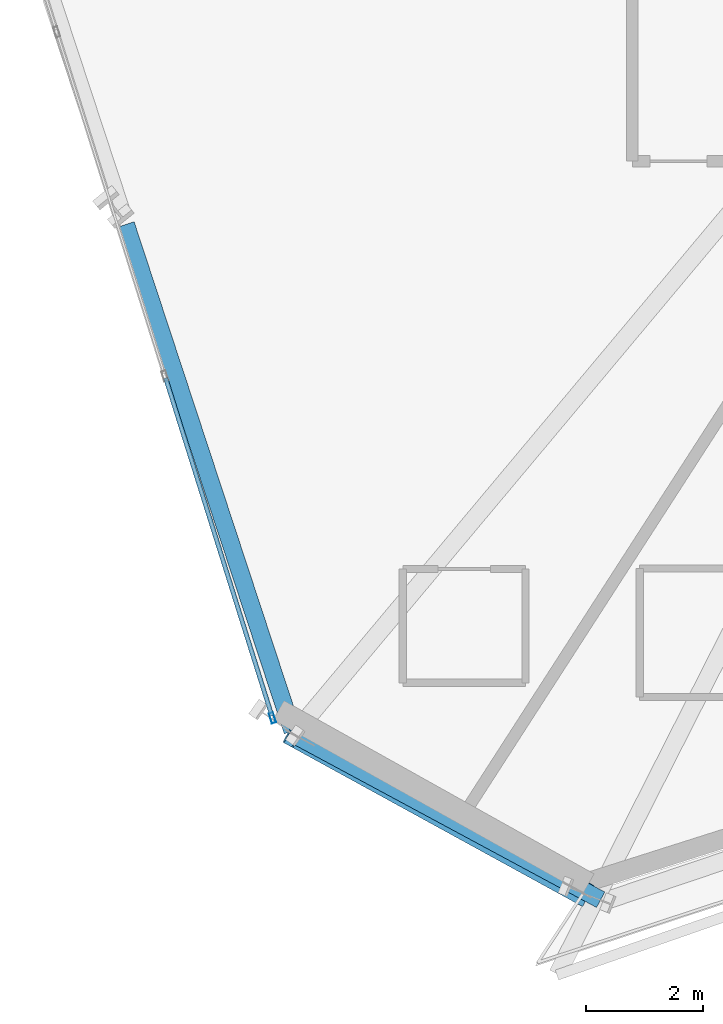
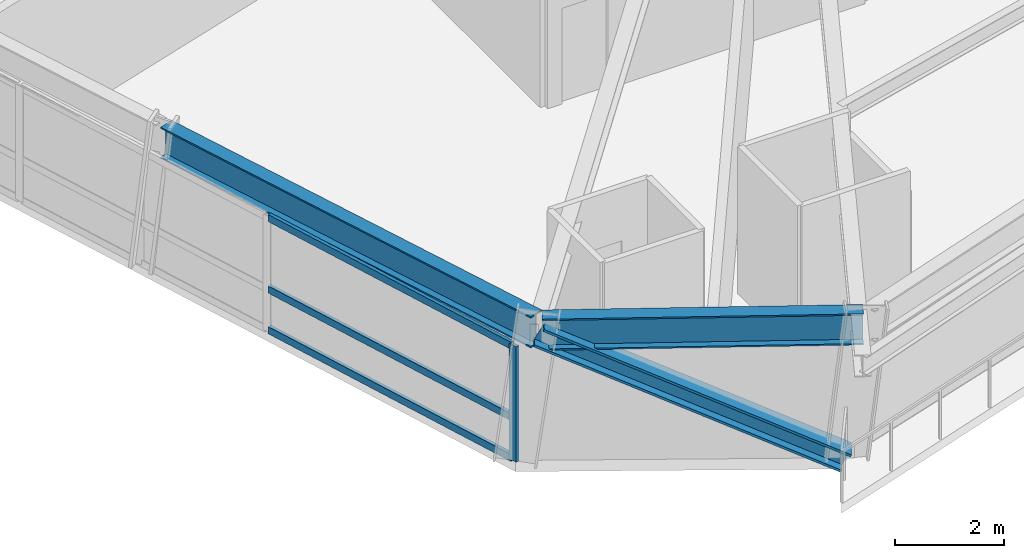
# One storey, part 2 of 21: 5 members, 2 beams, 1 element without a shape of its own.
"""IFC4 building model written with IfcOpenShell, lengths in metres."""

import ifcopenshell
import ifcopenshell.guid

model = None  # the IFC model being written
_history = None  # IfcOwnerHistory: only IFC2X3 demands one
_inside = {}  # id of a spatial element -> (the spatial element, [elements in it])
_under = {}  # id of a project, library or spatial element -> (it, [spatial elements below it])
_declared = {}  # id of a project -> (the project, [libraries it declares])
_typed = {}  # id of a type object -> (the type object, [elements of that type])
_made_of = {}  # id of a material, layer set ... -> (it, [elements and type objects made of it])


def new_model(schema):
    """Start an empty IFC model of exactly this schema.

    Asked for "IFC4X3", IfcOpenShell would pick the latest addendum, in which some entities
    have other attributes; the version numbers below select the first issue.
    IFC2X3 requires an IfcOwnerHistory on every rooted entity: one is made here for all.
    """
    global model, _history
    if schema == "IFC4X3":
        model = ifcopenshell.file(schema_version=(4, 3, 0, 0))
    else:
        model = ifcopenshell.file(schema=schema)
    _inside.clear()
    _under.clear()
    _declared.clear()
    _typed.clear()
    _made_of.clear()
    _history = None
    if model.schema == "IFC2X3":
        org = make("IfcOrganization", Name="unknown")
        user = make(
            "IfcPersonAndOrganization",
            ThePerson=make("IfcPerson", FamilyName="unknown"),
            TheOrganization=org,
        )
        app = make(
            "IfcApplication",
            ApplicationDeveloper=org,
            Version="unknown",
            ApplicationFullName="unknown",
            ApplicationIdentifier="unknown",
        )
        _history = make(
            "IfcOwnerHistory",
            OwningUser=user,
            OwningApplication=app,
            ChangeAction="ADDED",
            CreationDate=0,
        )
    return model


def make(cls, **values):
    """One entity of the class cls with the attributes given. An attribute that is None is left unset."""
    return model.create_entity(
        cls, **{name: value for name, value in values.items() if value is not None}
    )


def rooted(cls, **values):
    """An entity with a GlobalId (a new one), such as an element, a storey or a relation."""
    return make(cls, GlobalId=ifcopenshell.guid.new(), OwnerHistory=_history, **values)


def si_unit(unit_type, name, prefix=None):
    """IfcSIUnit, for example si_unit("LENGTHUNIT", "METRE", prefix="MILLI")."""
    return make("IfcSIUnit", UnitType=unit_type, Prefix=prefix, Name=name)


def assignment(units):
    """IfcUnitAssignment: the units of a project."""
    return None if units is None else make("IfcUnitAssignment", Units=units)


def point(xyz):
    """IfcCartesianPoint."""
    return None if xyz is None else make("IfcCartesianPoint", Coordinates=xyz)


def direction(xyz):
    """IfcDirection."""
    return None if xyz is None else make("IfcDirection", DirectionRatios=xyz)


def frame(location, z_axis=None, x_axis=None):
    """IfcAxis2Placement3D, a coordinate frame: its origin and axes. An axis left out is left unset."""
    return make(
        "IfcAxis2Placement3D",
        Location=point(location),
        Axis=direction(z_axis),
        RefDirection=direction(x_axis),
    )


def frame_2d(location, x_axis=None):
    """IfcAxis2Placement2D, a coordinate frame in the plane: its origin and x axis."""
    return make(
        "IfcAxis2Placement2D", Location=point(location), RefDirection=direction(x_axis)
    )


def origin():
    """The frame at (0, 0, 0) with its axes left unset."""
    return frame((0.0, 0.0, 0.0))


def origin_2d():
    """The frame at (0, 0) in the plane with its x axis left unset."""
    return frame_2d((0.0, 0.0))


def place(relative_to, where):
    """IfcLocalPlacement: puts the frame where relative to a parent placement (None: the world)."""
    return make(
        "IfcLocalPlacement", PlacementRelTo=relative_to, RelativePlacement=where
    )


def context(
    kind, dimensions, precision=None, world=None, true_north=None, identifier=None
):
    """IfcGeometricRepresentationContext, for example the 3D "Model" context."""
    return make(
        "IfcGeometricRepresentationContext",
        ContextIdentifier=identifier,
        ContextType=kind,
        CoordinateSpaceDimension=dimensions,
        Precision=precision,
        WorldCoordinateSystem=world,
        TrueNorth=true_north,
    )


def subcontext(parent, identifier, kind, view, scale=None):
    """IfcGeometricRepresentationSubContext, for example "Body" below "Model"."""
    return make(
        "IfcGeometricRepresentationSubContext",
        ContextIdentifier=identifier,
        ContextType=kind,
        ParentContext=parent,
        TargetScale=scale,
        TargetView=view,
    )


def project(units=None, contexts=None):
    """IfcProject with its units and contexts."""
    return rooted(
        "IfcProject",
        Name="project",
        RepresentationContexts=contexts,
        UnitsInContext=assignment(units),
    )


def spatial(cls, under=None, at=None, **own):
    """A site, building, storey or space (cls), placed at a placement, below another one or the project."""
    s = rooted(cls, ObjectPlacement=at, **own)
    if under is not None:
        _under.setdefault(under.id(), (under, []))[1].append(s)
    return s


def profile(cls, at=None, kind="AREA", **sizes):
    """A parametric profile (cls). Its sizes go by their IFC names, for example OverallWidth=200.0."""
    return make(cls, ProfileType=kind, Position=at, **sizes)


def hollow_rectangle(**sizes):
    """IfcRectangleHollowProfileDef."""
    return profile("IfcRectangleHollowProfileDef", **sizes)


def i_section(**sizes):
    """IfcIShapeProfileDef."""
    return profile("IfcIShapeProfileDef", **sizes)


def extrude(swept, where, along, depth):
    """IfcExtrudedAreaSolid: the profile swept, set in the frame where, extruded along a direction by depth."""
    return make(
        "IfcExtrudedAreaSolid",
        SweptArea=swept,
        Position=where,
        ExtrudedDirection=direction(along),
        Depth=depth,
    )


def shape(context_of_items, identifier, shape_type, items):
    """IfcShapeRepresentation: the items that make up one representation, for example the "Body"."""
    return make(
        "IfcShapeRepresentation",
        ContextOfItems=context_of_items,
        RepresentationIdentifier=identifier,
        RepresentationType=shape_type,
        Items=items,
    )


def source(mapping_origin, context_of_items, identifier, shape_type, items):
    """IfcRepresentationMap: a shape defined once, which mapped items show again and again."""
    return make(
        "IfcRepresentationMap",
        MappingOrigin=mapping_origin,
        MappedRepresentation=shape(context_of_items, identifier, shape_type, items),
    )


def transform(
    local_origin,
    x_axis=None,
    y_axis=None,
    z_axis=None,
    scale=None,
    scale2=None,
    scale3=None,
    uniform=True,
):
    """IfcCartesianTransformationOperator3D, or its non-uniform kind. x_axis, y_axis, z_axis: its Axis1, 2, 3."""
    if uniform:
        return make(
            "IfcCartesianTransformationOperator3D",
            Axis1=direction(x_axis),
            Axis2=direction(y_axis),
            LocalOrigin=point(local_origin),
            Scale=scale,
            Axis3=direction(z_axis),
        )
    return make(
        "IfcCartesianTransformationOperator3DnonUniform",
        Axis1=direction(x_axis),
        Axis2=direction(y_axis),
        LocalOrigin=point(local_origin),
        Scale=scale,
        Axis3=direction(z_axis),
        Scale2=scale2,
        Scale3=scale3,
    )


def mapped(mapping_source, mapping_target):
    """IfcMappedItem: shows the shape of a source again, moved by a transform."""
    return make(
        "IfcMappedItem", MappingSource=mapping_source, MappingTarget=mapping_target
    )


def material(Name=None, Category=None):
    """IfcMaterial."""
    return make("IfcMaterial", Name=Name, Category=Category)


def material_profile(
    of_material, cross_section, Name=None, Category=None, Priority=None
):
    """IfcMaterialProfile: a cross section and its material."""
    return make(
        "IfcMaterialProfile",
        Name=Name,
        Material=of_material,
        Profile=cross_section,
        Priority=Priority,
        Category=Category,
    )


def profile_set(profiles, Name=None, composite=None):
    """IfcMaterialProfileSet."""
    return make(
        "IfcMaterialProfileSet",
        Name=Name,
        MaterialProfiles=profiles,
        CompositeProfile=composite,
    )


def made_of(thing, what):
    """Note that an element or type object is made of a material, layer set ...; save() writes the relation."""
    if what is not None:
        _made_of.setdefault(what.id(), (what, []))[1].append(thing)
    return thing


def type_object(cls, material=None, **own):
    """A type object (cls), such as IfcWallType, which elements share."""
    return made_of(rooted(cls, **own), material)


def element(
    cls,
    number,
    at=None,
    inside=None,
    cuts=None,
    type_object=None,
    material=None,
    context=None,
    identifier="Body",
    shape_type=None,
    held_by="IfcProductDefinitionShape",
    body=None,
    shapes=None,
    **own,
):
    """One element of the class cls, such as IfcWall. Its Tag is "e" and its number.

    at: its placement. inside: the storey or other place that contains it. cuts: it is an
    opening in that element (IfcRelVoidsElement). A single representation is given by context,
    identifier, shape_type and body (its items); several are given by shapes. held_by: the class
    of the entity that holds the representations. save() writes the other relations.
    """
    e = rooted(cls, Tag="e%d" % number, ObjectPlacement=at, **own)
    if body is not None:
        shapes = [shape(context, identifier, shape_type, body)]
    if shapes is not None:
        e.Representation = make(held_by, Representations=shapes)
    if inside is not None:
        _inside.setdefault(inside.id(), (inside, []))[1].append(e)
    if cuts is not None:
        rooted(
            "IfcRelVoidsElement", RelatingBuildingElement=cuts, RelatedOpeningElement=e
        )
    if type_object is not None:
        _typed.setdefault(type_object.id(), (type_object, []))[1].append(e)
    return made_of(e, material)


def aggregate(whole, parts):
    """IfcRelAggregates: a whole, such as a stair, and the parts it consists of."""
    return rooted("IfcRelAggregates", RelatingObject=whole, RelatedObjects=parts)


def save(model, path):
    """Write the relations noted so far, then the file.

    IfcRelAggregates (storeys below a building ...), IfcRelContainedInSpatialStructure (elements
    in a storey), IfcRelDefinesByType, IfcRelAssociatesMaterial and IfcRelDeclares: one each for
    every whole, place, type object, material and project.
    """
    for whole, parts in _under.values():
        aggregate(whole, parts)
    for where, things in _inside.values():
        rooted(
            "IfcRelContainedInSpatialStructure",
            RelatedElements=things,
            RelatingStructure=where,
        )
    for kind, things in _typed.values():
        rooted("IfcRelDefinesByType", RelatedObjects=things, RelatingType=kind)
    for what, things in _made_of.values():
        rooted("IfcRelAssociatesMaterial", RelatedObjects=things, RelatingMaterial=what)
    for by, libraries in _declared.values():
        rooted("IfcRelDeclares", RelatingContext=by, RelatedDefinitions=libraries)
    model.write(path)


model = new_model("IFC4")

# Units and contexts
model_context = context("Model", 3, precision=1e-05, world=origin(), true_north=direction((0.0, 1.0)))
body_context = subcontext(model_context, "Body", "Model", "MODEL_VIEW")
ifc_project = project(units=[si_unit("LENGTHUNIT", "METRE"), si_unit("AREAUNIT", "SQUARE_METRE"), si_unit("VOLUMEUNIT", "CUBIC_METRE"), si_unit("PLANEANGLEUNIT", "RADIAN"), si_unit("MASSUNIT", "GRAM", prefix="KILO")], contexts=[model_context])

# Site, building, storey
site_placement = place(None, origin())
site = spatial("IfcSite", under=ifc_project, at=site_placement, CompositionType="ELEMENT")
building_placement = place(site_placement, origin())
building = spatial("IfcBuilding", under=site, at=building_placement, Name="Olszyna Solenne Hotel", CompositionType="ELEMENT")
storey_placement = place(building_placement, frame((0.0, 0.0, 54.14990234375)))
storey = spatial("IfcBuildingStorey", under=building, at=storey_placement, Name="L13", CompositionType="ELEMENT", Elevation=54.14990234375)

# Beams
ifc_material_1 = material(Name="Steel S355J2", Category="steel")
ifc_material_profile_1 = material_profile(ifc_material_1, i_section(OverallWidth=0.300048828125, OverallDepth=0.699951171875, WebThickness=0.01708984375, FlangeThickness=0.031982421875, at=origin_2d()), Name="HEB 700", Category="load-bearing")
ifc_profile_set_1 = profile_set([ifc_material_profile_1], Name="Steel S355J2")
beam_type = type_object("IfcBeamType", Name="BM-S1", PredefinedType="BEAM", material=ifc_profile_set_1)
shared_shape_1 = source(origin(), body_context, "Body", "SweptSolid", [
    extrude(i_section(OverallWidth=0.300048828125, OverallDepth=0.699951171875, WebThickness=0.01708984375, FlangeThickness=0.031982421875, at=origin_2d()), origin(), (0.0, 0.0, 1.0), 9.130126953125),
])
beam_1_placement = place(storey_placement, frame((18.628173828125, 15.61669921875, 2.9501953125), z_axis=(0.312615596784, -0.949879723253, 0.0), x_axis=(0.949879723253, 0.312615596784, 0.0)))
element("IfcBeam", 1, at=beam_1_placement, inside=storey, type_object=beam_type, Name="Perimeter spandrel beam BM-S1 B-L13-0413", PredefinedType="BEAM", context=body_context, shape_type="MappedRepresentation", body=[
    mapped(shared_shape_1, transform((0.0, 0.0, 0.0), x_axis=(1.0, 0.0, 0.0), y_axis=(0.0, 1.0, 0.0), z_axis=(0.0, 0.0, 1.0), scale=1.0)),
])
shared_shape_2 = source(origin(), body_context, "Body", "SweptSolid", [
    extrude(i_section(OverallWidth=0.300048828125, OverallDepth=0.699951171875, WebThickness=0.01708984375, FlangeThickness=0.031982421875, at=origin_2d()), origin(), (0.0, 0.0, 1.0), 5.91015625),
])
beam_2_placement = place(storey_placement, frame((21.55419921875, 6.85888671875, 2.9501953125), z_axis=(0.880467120552, -0.47410721322, 0.0), x_axis=(0.47410721322, 0.880467120552, 0.0)))
element("IfcBeam", 2, at=beam_2_placement, inside=storey, type_object=beam_type, Name="Perimeter spandrel beam BM-S1 B-L13-0414", PredefinedType="BEAM", context=body_context, shape_type="MappedRepresentation", body=[
    mapped(shared_shape_2, transform((0.0, 0.0, 0.0), x_axis=(1.0, 0.0, 0.0), y_axis=(0.0, 1.0, 0.0), z_axis=(0.0, 0.0, 1.0), scale=1.0)),
])

# Member
ifc_material_2 = material(Name="Steel S460M", Category="steel")
ifc_material_profile_2 = material_profile(ifc_material_2, i_section(OverallWidth=0.412109375, OverallDepth=0.43505859375, WebThickness=0.031494140625, FlangeThickness=0.050048828125, at=origin_2d()), Name="HD 400x463", Category="load-bearing")
ifc_profile_set_2 = profile_set([ifc_material_profile_2], Name="Steel S460M")
member_type_1 = type_object("IfcMemberType", Name="BR-T1", PredefinedType="BRACE", material=ifc_profile_set_2)
shared_shape_3 = source(origin(), body_context, "Body", "SweptSolid", [
    extrude(i_section(OverallWidth=0.412109375, OverallDepth=0.43505859375, WebThickness=0.031494140625, FlangeThickness=0.050048828125, at=origin_2d()), origin(), (0.0, 0.0, 1.0), 6.35693359375),
])
member_1_placement = place(storey_placement, frame((26.458740234375, 4.168212890625, 0.010009765625), z_axis=(-0.779874489969, 0.427728858209, 0.456994314791), x_axis=(-0.480880797871, -0.876785982004, 0.0)))
element("IfcMember", 3, at=member_1_placement, inside=storey, type_object=member_type_1, Name="Perimeter braced-tube diagonal BR-T1 BR-L13-3", PredefinedType="BRACE", context=body_context, shape_type="MappedRepresentation", body=[
    mapped(shared_shape_3, transform((0.0, 0.0, 0.0), x_axis=(1.0, 0.0, 0.0), y_axis=(0.0, 1.0, 0.0), z_axis=(0.0, 0.0, 1.0), scale=1.0)),
])

# Curtain wall, members
ifc_material_3 = material(Name="Anodised bronze aluminium", Category="aluminium")
curtain_wall_type = type_object("IfcCurtainWallType", Name="CW-SYS-2", PredefinedType="NOTDEFINED", material=ifc_material_3)
curtain_wall_placement = place(storey_placement, origin())
curtain_wall = element("IfcCurtainWall", 4, at=curtain_wall_placement, inside=storey, type_object=curtain_wall_type, Name="Unitised curtain wall CW-SYS-2 CW-L13-01", PredefinedType="NOTDEFINED")
ifc_material_profile_3 = material_profile(ifc_material_3, hollow_rectangle(XDim=0.074951171875, YDim=0.179931640625, WallThickness=0.00439453125, at=origin_2d()), Name="MULL 180x75x4.5", Category="load-bearing")
ifc_profile_set_3 = profile_set([ifc_material_profile_3], Name="Anodised bronze aluminium")
member_type_2 = type_object("IfcMemberType", Name="CW-M2", PredefinedType="MULLION", material=ifc_profile_set_3)
shared_shape_4 = source(origin(), body_context, "Body", "SweptSolid", [
    extrude(hollow_rectangle(XDim=0.074951171875, YDim=0.179931640625, WallThickness=0.00439453125, at=origin_2d()), origin(), (0.0, 0.0, 1.0), 2.592041015625),
])
member_2_placement = place(storey_placement, frame((21.13916015625, 7.170654296875, 0.0), z_axis=(0.0, 0.0, 1.0), x_axis=(0.95391417649, 0.300079562602, 0.0)))
member_2 = element("IfcMember", 5, at=member_2_placement, type_object=member_type_2, Name="Curtain-wall mullion CW-M2 CM-L13-01-04", PredefinedType="MULLION", context=body_context, shape_type="MappedRepresentation", body=[
    mapped(shared_shape_4, transform((0.0, 0.0, 0.0), x_axis=(1.0, 0.0, 0.0), y_axis=(0.0, 1.0, 0.0), z_axis=(0.0, 0.0, 1.0), scale=1.0)),
])
ifc_material_profile_4 = material_profile(ifc_material_3, hollow_rectangle(XDim=0.074951171875, YDim=0.159912109375, WallThickness=0.00390625, at=origin_2d()), Name="TRAN 160x75x4", Category="load-bearing")
ifc_profile_set_4 = profile_set([ifc_material_profile_4], Name="Anodised bronze aluminium")
member_type_3 = type_object("IfcMemberType", Name="CW-T1", PredefinedType="USERDEFINED", material=ifc_profile_set_4)
shared_shape_5 = source(origin(), body_context, "Body", "SweptSolid", [
    extrude(hollow_rectangle(XDim=0.074951171875, YDim=0.159912109375, WallThickness=0.00390625, at=origin_2d()), origin(), (0.0, 0.0, 1.0), 6.0615234375),
])
member_3_placement = place(storey_placement, frame((19.30908203125, 12.988525390625, 0.03759765625), z_axis=(0.300063281925, -0.953919297866, 0.0), x_axis=(0.953919297866, 0.300063281925, 0.0)))
member_3 = element("IfcMember", 6, at=member_3_placement, type_object=member_type_3, Name="Curtain-wall transom CW-T1 CT-L13-01-07", ObjectType="TRANSOM", PredefinedType="USERDEFINED", context=body_context, shape_type="MappedRepresentation", body=[
    mapped(shared_shape_5, transform((0.0, 0.0, 0.0), x_axis=(1.0, 0.0, 0.0), y_axis=(0.0, 1.0, 0.0), z_axis=(0.0, 0.0, 1.0), scale=1.0)),
])
member_4_placement = place(storey_placement, frame((19.30908203125, 12.988525390625, 0.9501953125), z_axis=(0.300063281925, -0.953919297866, 0.0), x_axis=(0.953919297866, 0.300063281925, 0.0)))
member_4 = element("IfcMember", 7, at=member_4_placement, type_object=member_type_3, Name="Curtain-wall transom CW-T1 CT-L13-01-08", ObjectType="TRANSOM", PredefinedType="USERDEFINED", context=body_context, shape_type="MappedRepresentation", body=[
    mapped(shared_shape_5, transform((0.0, 0.0, 0.0), x_axis=(1.0, 0.0, 0.0), y_axis=(0.0, 1.0, 0.0), z_axis=(0.0, 0.0, 1.0), scale=1.0)),
])
member_5_placement = place(storey_placement, frame((19.30908203125, 12.988525390625, 2.5546875), z_axis=(0.300063281925, -0.953919297866, 0.0), x_axis=(0.953919297866, 0.300063281925, 0.0)))
member_5 = element("IfcMember", 8, at=member_5_placement, type_object=member_type_3, Name="Curtain-wall transom CW-T1 CT-L13-01-09", ObjectType="TRANSOM", PredefinedType="USERDEFINED", context=body_context, shape_type="MappedRepresentation", body=[
    mapped(shared_shape_5, transform((0.0, 0.0, 0.0), x_axis=(1.0, 0.0, 0.0), y_axis=(0.0, 1.0, 0.0), z_axis=(0.0, 0.0, 1.0), scale=1.0)),
])
aggregate(curtain_wall, [member_2, member_3, member_4, member_5])

save(model, "model.ifc")
